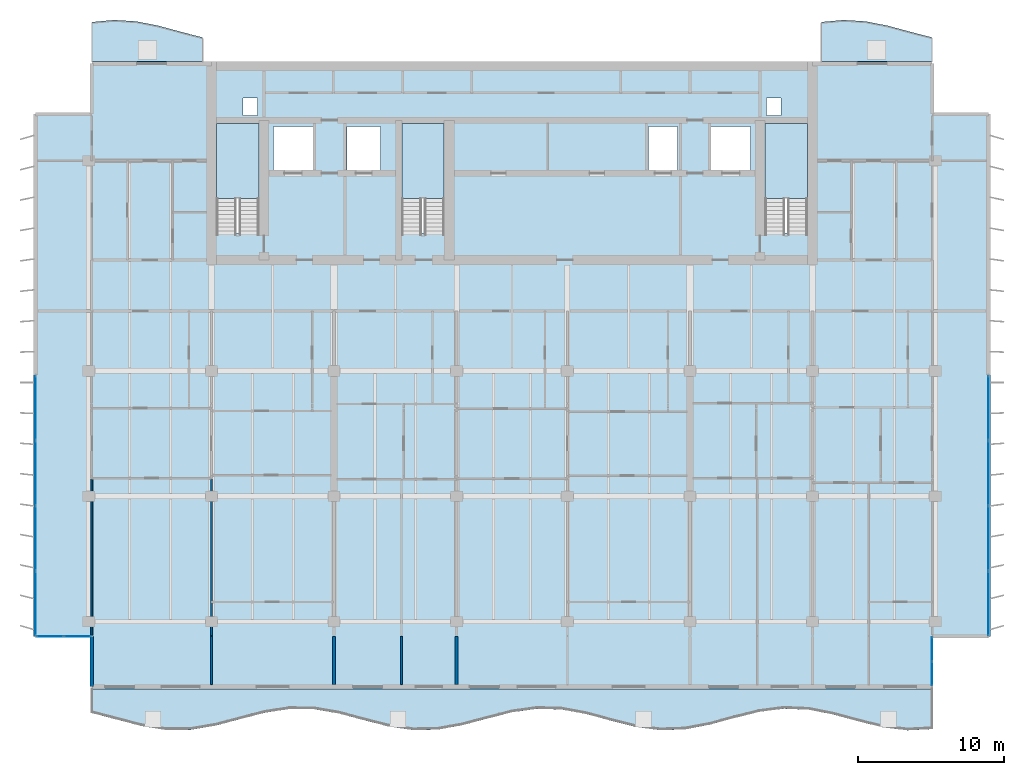
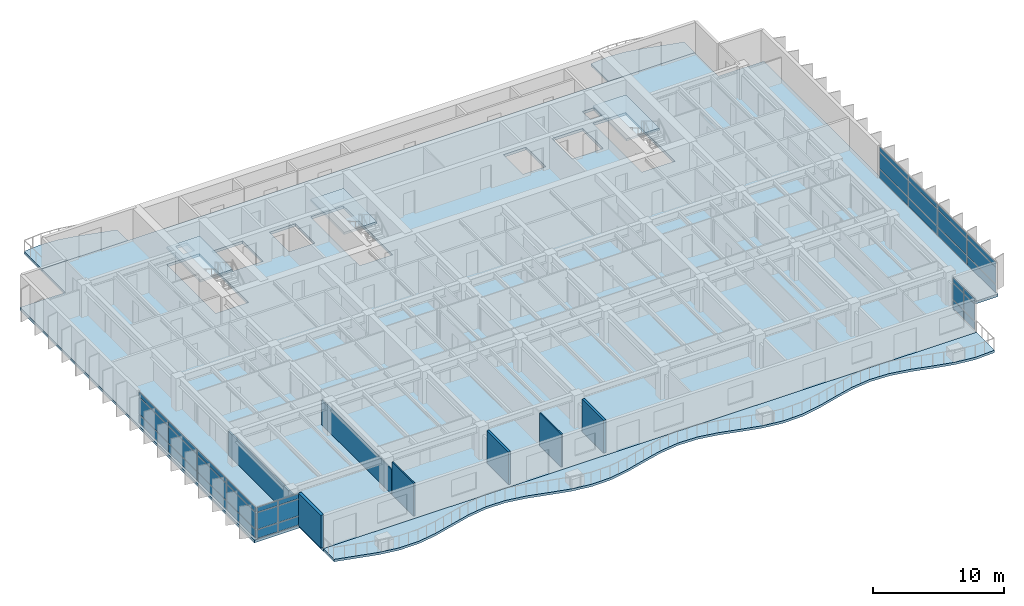
# One storey, part 7 of 19: 36 plates, 7 slabs, 7 walls, 7 elements without a shape of their own.
"""IFC4 building model written with IfcOpenShell, lengths in metres."""

from ifc_helpers import new_model, si_unit, direction, frame, frame_2d, origin, origin_2d, place, context, subcontext, project, spatial, polyline, rectangle, outline, extrude, material, layer, layer_set, type_object, element, aggregate, save


model = new_model("IFC4")

# Units and contexts
model_context = context("Model", 3, precision=1e-05, world=origin(), true_north=direction((0.0, 1.0)))
body_context = subcontext(model_context, "Body", "Model", "MODEL_VIEW")
ifc_project = project(units=[si_unit("LENGTHUNIT", "METRE"), si_unit("AREAUNIT", "SQUARE_METRE"), si_unit("VOLUMEUNIT", "CUBIC_METRE"), si_unit("PLANEANGLEUNIT", "RADIAN"), si_unit("MASSUNIT", "GRAM", prefix="KILO")], contexts=[model_context])

# Site, building, storey
site_placement = place(None, origin())
site = spatial("IfcSite", under=ifc_project, at=site_placement, CompositionType="ELEMENT")
building_placement = place(site_placement, origin())
building = spatial("IfcBuilding", under=site, at=building_placement, Name="Caelmar Bay Residences", CompositionType="ELEMENT")
storey_placement = place(building_placement, frame((0.0, 0.0, 188.39990234375)))
storey = spatial("IfcBuildingStorey", under=building, at=storey_placement, Name="L52", CompositionType="ELEMENT", Elevation=188.39990234375)

# Curtain wall, plates
ifc_material_1 = material(Name="Anodised bronze aluminium 6063-T6 and laminated glass", Category="aluminium")
ifc_layer_1 = layer(ifc_material_1, 0.179931640625)
ifc_layer_set_1 = layer_set([ifc_layer_1], Name="Anodised bronze aluminium 6063-T6 and laminated glass")
curtain_wall_type_1 = type_object("IfcCurtainWallType", Name="CW6-NTC", PredefinedType="NOTDEFINED", material=ifc_layer_set_1)
curtain_wall_1_placement = place(storey_placement, origin())
curtain_wall_1 = element("IfcCurtainWall", 1, at=curtain_wall_1_placement, inside=storey, type_object=curtain_wall_type_1, Name="CW6 curtain wall L52", PredefinedType="NOTDEFINED")
ifc_material_2 = material(Name="Bronze-tinted laminated low-E hurricane glass 28 mm", Category="glass")
ifc_layer_2 = layer(ifc_material_2, 0.028076171875)
ifc_layer_set_2 = layer_set([ifc_layer_2], Name="Bronze-tinted laminated low-E hurricane glass 28 mm")
plate_type = type_object("IfcPlateType", Name="CWP-GLZ28", PredefinedType="CURTAIN_PANEL", material=ifc_layer_set_2)
plate_1_placement = place(storey_placement, frame((7.232421875, 11.199951171875, 0.080078125), z_axis=(0.0, 0.0, 1.0), x_axis=(1.0, 0.0, 0.0)))
plate_1 = element("IfcPlate", 2, at=plate_1_placement, type_object=plate_type, Name="CW6 panel 1.1", PredefinedType="CURTAIN_PANEL", context=body_context, shape_type="SweptSolid", body=[
    extrude(rectangle(XDim=1.804931640625, YDim=0.028076171875, at=origin_2d()), origin(), (0.0, 0.0, 1.0), 0.780029296875),
])
plate_2_placement = place(storey_placement, frame((7.232421875, 11.199951171875, 0.940185546875), z_axis=(0.0, 0.0, 1.0), x_axis=(1.0, 0.0, 0.0)))
plate_2 = element("IfcPlate", 3, at=plate_2_placement, type_object=plate_type, Name="CW6 panel 1.2", PredefinedType="CURTAIN_PANEL", context=body_context, shape_type="SweptSolid", body=[
    extrude(rectangle(XDim=1.804931640625, YDim=0.028076171875, at=origin_2d()), origin(), (0.0, 0.0, 1.0), 1.52001953125),
])
plate_3_placement = place(storey_placement, frame((7.232421875, 11.199951171875, 2.5400390625), z_axis=(0.0, 0.0, 1.0), x_axis=(1.0, 0.0, 0.0)))
plate_3 = element("IfcPlate", 4, at=plate_3_placement, type_object=plate_type, Name="CW6 panel 1.3", PredefinedType="CURTAIN_PANEL", context=body_context, shape_type="SweptSolid", body=[
    extrude(rectangle(XDim=1.804931640625, YDim=0.028076171875, at=origin_2d()), origin(), (0.0, 0.0, 1.0), 0.429931640625),
])
plate_4_placement = place(storey_placement, frame((9.117431640625, 11.199951171875, 0.080078125), z_axis=(0.0, 0.0, 1.0), x_axis=(1.0, 0.0, 0.0)))
plate_4 = element("IfcPlate", 5, at=plate_4_placement, type_object=plate_type, Name="CW6 panel 2.1", PredefinedType="CURTAIN_PANEL", context=body_context, shape_type="SweptSolid", body=[
    extrude(rectangle(XDim=1.804931640625, YDim=0.028076171875, at=origin_2d()), origin(), (0.0, 0.0, 1.0), 0.780029296875),
])
plate_5_placement = place(storey_placement, frame((9.117431640625, 11.199951171875, 0.940185546875), z_axis=(0.0, 0.0, 1.0), x_axis=(1.0, 0.0, 0.0)))
plate_5 = element("IfcPlate", 6, at=plate_5_placement, type_object=plate_type, Name="CW6 panel 2.2", PredefinedType="CURTAIN_PANEL", context=body_context, shape_type="SweptSolid", body=[
    extrude(rectangle(XDim=1.804931640625, YDim=0.028076171875, at=origin_2d()), origin(), (0.0, 0.0, 1.0), 1.52001953125),
])
plate_6_placement = place(storey_placement, frame((9.117431640625, 11.199951171875, 2.5400390625), z_axis=(0.0, 0.0, 1.0), x_axis=(1.0, 0.0, 0.0)))
plate_6 = element("IfcPlate", 7, at=plate_6_placement, type_object=plate_type, Name="CW6 panel 2.3", PredefinedType="CURTAIN_PANEL", context=body_context, shape_type="SweptSolid", body=[
    extrude(rectangle(XDim=1.804931640625, YDim=0.028076171875, at=origin_2d()), origin(), (0.0, 0.0, 1.0), 0.429931640625),
])
aggregate(curtain_wall_1, [plate_1, plate_2, plate_3, plate_4, plate_5, plate_6])

curtain_wall_2_placement = place(storey_placement, origin())
curtain_wall_2 = element("IfcCurtainWall", 8, at=curtain_wall_2_placement, inside=storey, type_object=curtain_wall_type_1, Name="CW6 curtain wall L52", PredefinedType="NOTDEFINED")
plate_7_placement = place(storey_placement, frame((67.699951171875, 8.632568359375, 0.080078125), z_axis=(0.0, 0.0, 1.0), x_axis=(0.0, 1.0, 0.0)))
plate_7 = element("IfcPlate", 9, at=plate_7_placement, type_object=plate_type, Name="CW6 panel 1.1", PredefinedType="CURTAIN_PANEL", context=body_context, shape_type="SweptSolid", body=[
    extrude(rectangle(XDim=1.60498046875, YDim=0.028076171875, at=origin_2d()), origin(), (0.0, 0.0, 1.0), 0.780029296875),
])
plate_8_placement = place(storey_placement, frame((67.699951171875, 8.632568359375, 0.940185546875), z_axis=(0.0, 0.0, 1.0), x_axis=(0.0, 1.0, 0.0)))
plate_8 = element("IfcPlate", 10, at=plate_8_placement, type_object=plate_type, Name="CW6 panel 1.2", PredefinedType="CURTAIN_PANEL", context=body_context, shape_type="SweptSolid", body=[
    extrude(rectangle(XDim=1.60498046875, YDim=0.028076171875, at=origin_2d()), origin(), (0.0, 0.0, 1.0), 1.52001953125),
])
plate_9_placement = place(storey_placement, frame((67.699951171875, 8.632568359375, 2.5400390625), z_axis=(0.0, 0.0, 1.0), x_axis=(0.0, 1.0, 0.0)))
plate_9 = element("IfcPlate", 11, at=plate_9_placement, type_object=plate_type, Name="CW6 panel 1.3", PredefinedType="CURTAIN_PANEL", context=body_context, shape_type="SweptSolid", body=[
    extrude(rectangle(XDim=1.60498046875, YDim=0.028076171875, at=origin_2d()), origin(), (0.0, 0.0, 1.0), 0.429931640625),
])
plate_10_placement = place(storey_placement, frame((67.699951171875, 10.3173828125, 0.080078125), z_axis=(0.0, 0.0, 1.0), x_axis=(0.0, 1.0, 0.0)))
plate_10 = element("IfcPlate", 12, at=plate_10_placement, type_object=plate_type, Name="CW6 panel 2.1", PredefinedType="CURTAIN_PANEL", context=body_context, shape_type="SweptSolid", body=[
    extrude(rectangle(XDim=1.60498046875, YDim=0.028076171875, at=origin_2d()), origin(), (0.0, 0.0, 1.0), 0.780029296875),
])
plate_11_placement = place(storey_placement, frame((67.699951171875, 10.3173828125, 0.940185546875), z_axis=(0.0, 0.0, 1.0), x_axis=(0.0, 1.0, 0.0)))
plate_11 = element("IfcPlate", 13, at=plate_11_placement, type_object=plate_type, Name="CW6 panel 2.2", PredefinedType="CURTAIN_PANEL", context=body_context, shape_type="SweptSolid", body=[
    extrude(rectangle(XDim=1.60498046875, YDim=0.028076171875, at=origin_2d()), origin(), (0.0, 0.0, 1.0), 1.52001953125),
])
plate_12_placement = place(storey_placement, frame((67.699951171875, 10.3173828125, 2.5400390625), z_axis=(0.0, 0.0, 1.0), x_axis=(0.0, 1.0, 0.0)))
plate_12 = element("IfcPlate", 14, at=plate_12_placement, type_object=plate_type, Name="CW6 panel 2.3", PredefinedType="CURTAIN_PANEL", context=body_context, shape_type="SweptSolid", body=[
    extrude(rectangle(XDim=1.60498046875, YDim=0.028076171875, at=origin_2d()), origin(), (0.0, 0.0, 1.0), 0.429931640625),
])
aggregate(curtain_wall_2, [plate_7, plate_8, plate_9, plate_10, plate_11, plate_12])

ifc_layer_3 = layer(ifc_material_1, 0.179931640625)
ifc_layer_set_3 = layer_set([ifc_layer_3], Name="Anodised bronze aluminium 6063-T6 and laminated glass")
curtain_wall_type_2 = type_object("IfcCurtainWallType", Name="CW4-Z3", PredefinedType="NOTDEFINED", material=ifc_layer_set_3)
curtain_wall_3_placement = place(storey_placement, origin())
curtain_wall_3 = element("IfcCurtainWall", 15, at=curtain_wall_3_placement, inside=storey, type_object=curtain_wall_type_2, Name="CW4 curtain wall L52", PredefinedType="NOTDEFINED")
plate_13_placement = place(storey_placement, frame((6.25, 13.45751953125, 0.080078125), z_axis=(0.0, 0.0, 1.0), x_axis=(0.0, 1.0, 0.0)))
plate_13 = element("IfcPlate", 16, at=plate_13_placement, type_object=plate_type, Name="CW4 panel 1.1", PredefinedType="CURTAIN_PANEL", context=body_context, shape_type="SweptSolid", body=[
    extrude(rectangle(XDim=4.35498046875, YDim=0.028076171875, at=origin_2d()), origin(), (0.0, 0.0, 1.0), 0.780029296875),
])
plate_14_placement = place(storey_placement, frame((6.25, 13.45751953125, 0.940185546875), z_axis=(0.0, 0.0, 1.0), x_axis=(0.0, 1.0, 0.0)))
plate_14 = element("IfcPlate", 17, at=plate_14_placement, type_object=plate_type, Name="CW4 panel 1.2", PredefinedType="CURTAIN_PANEL", context=body_context, shape_type="SweptSolid", body=[
    extrude(rectangle(XDim=4.35498046875, YDim=0.028076171875, at=origin_2d()), origin(), (0.0, 0.0, 1.0), 1.52001953125),
])
plate_15_placement = place(storey_placement, frame((6.25, 13.45751953125, 2.5400390625), z_axis=(0.0, 0.0, 1.0), x_axis=(0.0, 1.0, 0.0)))
plate_15 = element("IfcPlate", 18, at=plate_15_placement, type_object=plate_type, Name="CW4 panel 1.3", PredefinedType="CURTAIN_PANEL", context=body_context, shape_type="SweptSolid", body=[
    extrude(rectangle(XDim=4.35498046875, YDim=0.028076171875, at=origin_2d()), origin(), (0.0, 0.0, 1.0), 0.429931640625),
])
plate_16_placement = place(storey_placement, frame((6.25, 17.91259765625, 0.080078125), z_axis=(0.0, 0.0, 1.0), x_axis=(0.0, 1.0, 0.0)))
plate_16 = element("IfcPlate", 19, at=plate_16_placement, type_object=plate_type, Name="CW4 panel 2.1", PredefinedType="CURTAIN_PANEL", context=body_context, shape_type="SweptSolid", body=[
    extrude(rectangle(XDim=4.39501953125, YDim=0.028076171875, at=origin_2d()), origin(), (0.0, 0.0, 1.0), 0.780029296875),
])
plate_17_placement = place(storey_placement, frame((6.25, 17.91259765625, 0.940185546875), z_axis=(0.0, 0.0, 1.0), x_axis=(0.0, 1.0, 0.0)))
plate_17 = element("IfcPlate", 20, at=plate_17_placement, type_object=plate_type, Name="CW4 panel 2.2", PredefinedType="CURTAIN_PANEL", context=body_context, shape_type="SweptSolid", body=[
    extrude(rectangle(XDim=4.39501953125, YDim=0.028076171875, at=origin_2d()), origin(), (0.0, 0.0, 1.0), 1.52001953125),
])
plate_18_placement = place(storey_placement, frame((6.25, 17.91259765625, 2.5400390625), z_axis=(0.0, 0.0, 1.0), x_axis=(0.0, 1.0, 0.0)))
plate_18 = element("IfcPlate", 21, at=plate_18_placement, type_object=plate_type, Name="CW4 panel 2.3", PredefinedType="CURTAIN_PANEL", context=body_context, shape_type="SweptSolid", body=[
    extrude(rectangle(XDim=4.39501953125, YDim=0.028076171875, at=origin_2d()), origin(), (0.0, 0.0, 1.0), 0.429931640625),
])
plate_19_placement = place(storey_placement, frame((6.25, 22.387451171875, 0.080078125), z_axis=(0.0, 0.0, 1.0), x_axis=(0.0, 1.0, 0.0)))
plate_19 = element("IfcPlate", 22, at=plate_19_placement, type_object=plate_type, Name="CW4 panel 3.1", PredefinedType="CURTAIN_PANEL", context=body_context, shape_type="SweptSolid", body=[
    extrude(rectangle(XDim=4.39501953125, YDim=0.028076171875, at=origin_2d()), origin(), (0.0, 0.0, 1.0), 0.780029296875),
])
plate_20_placement = place(storey_placement, frame((6.25, 22.387451171875, 0.940185546875), z_axis=(0.0, 0.0, 1.0), x_axis=(0.0, 1.0, 0.0)))
plate_20 = element("IfcPlate", 23, at=plate_20_placement, type_object=plate_type, Name="CW4 panel 3.2", PredefinedType="CURTAIN_PANEL", context=body_context, shape_type="SweptSolid", body=[
    extrude(rectangle(XDim=4.39501953125, YDim=0.028076171875, at=origin_2d()), origin(), (0.0, 0.0, 1.0), 1.52001953125),
])
plate_21_placement = place(storey_placement, frame((6.25, 22.387451171875, 2.5400390625), z_axis=(0.0, 0.0, 1.0), x_axis=(0.0, 1.0, 0.0)))
plate_21 = element("IfcPlate", 24, at=plate_21_placement, type_object=plate_type, Name="CW4 panel 3.3", PredefinedType="CURTAIN_PANEL", context=body_context, shape_type="SweptSolid", body=[
    extrude(rectangle(XDim=4.39501953125, YDim=0.028076171875, at=origin_2d()), origin(), (0.0, 0.0, 1.0), 0.429931640625),
])
plate_22_placement = place(storey_placement, frame((6.25, 26.842529296875, 0.080078125), z_axis=(0.0, 0.0, 1.0), x_axis=(0.0, 1.0, 0.0)))
plate_22 = element("IfcPlate", 25, at=plate_22_placement, type_object=plate_type, Name="CW4 panel 4.1", PredefinedType="CURTAIN_PANEL", context=body_context, shape_type="SweptSolid", body=[
    extrude(rectangle(XDim=4.35498046875, YDim=0.028076171875, at=origin_2d()), origin(), (0.0, 0.0, 1.0), 0.780029296875),
])
plate_23_placement = place(storey_placement, frame((6.25, 26.842529296875, 0.940185546875), z_axis=(0.0, 0.0, 1.0), x_axis=(0.0, 1.0, 0.0)))
plate_23 = element("IfcPlate", 26, at=plate_23_placement, type_object=plate_type, Name="CW4 panel 4.2", PredefinedType="CURTAIN_PANEL", context=body_context, shape_type="SweptSolid", body=[
    extrude(rectangle(XDim=4.35498046875, YDim=0.028076171875, at=origin_2d()), origin(), (0.0, 0.0, 1.0), 1.52001953125),
])
plate_24_placement = place(storey_placement, frame((6.25, 26.842529296875, 2.5400390625), z_axis=(0.0, 0.0, 1.0), x_axis=(0.0, 1.0, 0.0)))
plate_24 = element("IfcPlate", 27, at=plate_24_placement, type_object=plate_type, Name="CW4 panel 4.3", PredefinedType="CURTAIN_PANEL", context=body_context, shape_type="SweptSolid", body=[
    extrude(rectangle(XDim=4.35498046875, YDim=0.028076171875, at=origin_2d()), origin(), (0.0, 0.0, 1.0), 0.429931640625),
])
aggregate(curtain_wall_3, [plate_13, plate_14, plate_15, plate_16, plate_17, plate_18, plate_19, plate_20, plate_21, plate_22, plate_23, plate_24])

curtain_wall_4_placement = place(storey_placement, origin())
curtain_wall_4 = element("IfcCurtainWall", 28, at=curtain_wall_4_placement, inside=storey, type_object=curtain_wall_type_2, Name="CW4 curtain wall L52", PredefinedType="NOTDEFINED")
plate_25_placement = place(storey_placement, frame((71.550048828125, 26.842529296875, 0.080078125), z_axis=(0.0, 0.0, 1.0), x_axis=(0.0, -1.0, 0.0)))
plate_25 = element("IfcPlate", 29, at=plate_25_placement, type_object=plate_type, Name="CW4 panel 1.1", PredefinedType="CURTAIN_PANEL", context=body_context, shape_type="SweptSolid", body=[
    extrude(rectangle(XDim=4.35498046875, YDim=0.028076171875, at=origin_2d()), origin(), (0.0, 0.0, 1.0), 0.780029296875),
])
plate_26_placement = place(storey_placement, frame((71.550048828125, 26.842529296875, 0.940185546875), z_axis=(0.0, 0.0, 1.0), x_axis=(0.0, -1.0, 0.0)))
plate_26 = element("IfcPlate", 30, at=plate_26_placement, type_object=plate_type, Name="CW4 panel 1.2", PredefinedType="CURTAIN_PANEL", context=body_context, shape_type="SweptSolid", body=[
    extrude(rectangle(XDim=4.35498046875, YDim=0.028076171875, at=origin_2d()), origin(), (0.0, 0.0, 1.0), 1.52001953125),
])
plate_27_placement = place(storey_placement, frame((71.550048828125, 26.842529296875, 2.5400390625), z_axis=(0.0, 0.0, 1.0), x_axis=(0.0, -1.0, 0.0)))
plate_27 = element("IfcPlate", 31, at=plate_27_placement, type_object=plate_type, Name="CW4 panel 1.3", PredefinedType="CURTAIN_PANEL", context=body_context, shape_type="SweptSolid", body=[
    extrude(rectangle(XDim=4.35498046875, YDim=0.028076171875, at=origin_2d()), origin(), (0.0, 0.0, 1.0), 0.429931640625),
])
plate_28_placement = place(storey_placement, frame((71.550048828125, 22.387451171875, 0.080078125), z_axis=(0.0, 0.0, 1.0), x_axis=(0.0, -1.0, 0.0)))
plate_28 = element("IfcPlate", 32, at=plate_28_placement, type_object=plate_type, Name="CW4 panel 2.1", PredefinedType="CURTAIN_PANEL", context=body_context, shape_type="SweptSolid", body=[
    extrude(rectangle(XDim=4.39501953125, YDim=0.028076171875, at=origin_2d()), origin(), (0.0, 0.0, 1.0), 0.780029296875),
])
plate_29_placement = place(storey_placement, frame((71.550048828125, 22.387451171875, 0.940185546875), z_axis=(0.0, 0.0, 1.0), x_axis=(0.0, -1.0, 0.0)))
plate_29 = element("IfcPlate", 33, at=plate_29_placement, type_object=plate_type, Name="CW4 panel 2.2", PredefinedType="CURTAIN_PANEL", context=body_context, shape_type="SweptSolid", body=[
    extrude(rectangle(XDim=4.39501953125, YDim=0.028076171875, at=origin_2d()), origin(), (0.0, 0.0, 1.0), 1.52001953125),
])
plate_30_placement = place(storey_placement, frame((71.550048828125, 22.387451171875, 2.5400390625), z_axis=(0.0, 0.0, 1.0), x_axis=(0.0, -1.0, 0.0)))
plate_30 = element("IfcPlate", 34, at=plate_30_placement, type_object=plate_type, Name="CW4 panel 2.3", PredefinedType="CURTAIN_PANEL", context=body_context, shape_type="SweptSolid", body=[
    extrude(rectangle(XDim=4.39501953125, YDim=0.028076171875, at=origin_2d()), origin(), (0.0, 0.0, 1.0), 0.429931640625),
])
plate_31_placement = place(storey_placement, frame((71.550048828125, 17.91259765625, 0.080078125), z_axis=(0.0, 0.0, 1.0), x_axis=(0.0, -1.0, 0.0)))
plate_31 = element("IfcPlate", 35, at=plate_31_placement, type_object=plate_type, Name="CW4 panel 3.1", PredefinedType="CURTAIN_PANEL", context=body_context, shape_type="SweptSolid", body=[
    extrude(rectangle(XDim=4.39501953125, YDim=0.028076171875, at=origin_2d()), origin(), (0.0, 0.0, 1.0), 0.780029296875),
])
plate_32_placement = place(storey_placement, frame((71.550048828125, 17.91259765625, 0.940185546875), z_axis=(0.0, 0.0, 1.0), x_axis=(0.0, -1.0, 0.0)))
plate_32 = element("IfcPlate", 36, at=plate_32_placement, type_object=plate_type, Name="CW4 panel 3.2", PredefinedType="CURTAIN_PANEL", context=body_context, shape_type="SweptSolid", body=[
    extrude(rectangle(XDim=4.39501953125, YDim=0.028076171875, at=origin_2d()), origin(), (0.0, 0.0, 1.0), 1.52001953125),
])
plate_33_placement = place(storey_placement, frame((71.550048828125, 17.91259765625, 2.5400390625), z_axis=(0.0, 0.0, 1.0), x_axis=(0.0, -1.0, 0.0)))
plate_33 = element("IfcPlate", 37, at=plate_33_placement, type_object=plate_type, Name="CW4 panel 3.3", PredefinedType="CURTAIN_PANEL", context=body_context, shape_type="SweptSolid", body=[
    extrude(rectangle(XDim=4.39501953125, YDim=0.028076171875, at=origin_2d()), origin(), (0.0, 0.0, 1.0), 0.429931640625),
])
plate_34_placement = place(storey_placement, frame((71.550048828125, 13.45751953125, 0.080078125), z_axis=(0.0, 0.0, 1.0), x_axis=(0.0, -1.0, 0.0)))
plate_34 = element("IfcPlate", 38, at=plate_34_placement, type_object=plate_type, Name="CW4 panel 4.1", PredefinedType="CURTAIN_PANEL", context=body_context, shape_type="SweptSolid", body=[
    extrude(rectangle(XDim=4.35498046875, YDim=0.028076171875, at=origin_2d()), origin(), (0.0, 0.0, 1.0), 0.780029296875),
])
plate_35_placement = place(storey_placement, frame((71.550048828125, 13.45751953125, 0.940185546875), z_axis=(0.0, 0.0, 1.0), x_axis=(0.0, -1.0, 0.0)))
plate_35 = element("IfcPlate", 39, at=plate_35_placement, type_object=plate_type, Name="CW4 panel 4.2", PredefinedType="CURTAIN_PANEL", context=body_context, shape_type="SweptSolid", body=[
    extrude(rectangle(XDim=4.35498046875, YDim=0.028076171875, at=origin_2d()), origin(), (0.0, 0.0, 1.0), 1.52001953125),
])
plate_36_placement = place(storey_placement, frame((71.550048828125, 13.45751953125, 2.5400390625), z_axis=(0.0, 0.0, 1.0), x_axis=(0.0, -1.0, 0.0)))
plate_36 = element("IfcPlate", 40, at=plate_36_placement, type_object=plate_type, Name="CW4 panel 4.3", PredefinedType="CURTAIN_PANEL", context=body_context, shape_type="SweptSolid", body=[
    extrude(rectangle(XDim=4.35498046875, YDim=0.028076171875, at=origin_2d()), origin(), (0.0, 0.0, 1.0), 0.429931640625),
])
aggregate(curtain_wall_4, [plate_25, plate_26, plate_27, plate_28, plate_29, plate_30, plate_31, plate_32, plate_33, plate_34, plate_35, plate_36])

# Slabs
ifc_material_3 = material(Name="Concrete f'c 40 MPa (6,000 psi)", Category="concrete")
ifc_layer_4 = layer(ifc_material_3, 0.219970703125)
ifc_layer_set_4 = layer_set([ifc_layer_4], Name="Concrete f'c 40 MPa (6,000 psi)")
slab_type_1 = type_object("IfcSlabType", Name="SLB-BAL-220", PredefinedType="FLOOR", material=ifc_layer_set_4)
slab_1_placement = place(storey_placement, frame((0.0, 0.0, -0.219970703125)))
element("IfcSlab", 41, at=slab_1_placement, inside=storey, type_object=slab_type_1, Name="L52 Sinusoidal Tree-Balcony Slab south", PredefinedType="FLOOR", context=body_context, shape_type="SweptSolid", body=[
    extrude(outline(polyline([(10.10009765625, 5.94091796875), (11.794189453125, 5.49609375), (13.48828125, 5.052734375), (15.182373046875, 4.783203125), (16.87646484375, 4.791748046875), (18.570556640625, 5.0751953125), (20.2646484375, 5.523681640625), (21.958740234375, 5.962890625), (23.65283203125, 6.222412109375), (25.34716796875, 6.201416015625), (27.041259765625, 5.908203125), (28.7353515625, 5.45654296875), (30.429443359375, 5.021484375), (32.12353515625, 4.7724609375), (33.817626953125, 4.805908203125), (35.51171875, 5.108642578125), (37.205810546875, 5.563232421875), (38.89990234375, 5.993408203125), (40.593994140625, 6.232177734375), (42.2880859375, 6.1865234375), (43.982421875, 5.87451171875), (45.676513671875, 5.4169921875), (47.37060546875, 4.99169921875), (49.064697265625, 4.763916015625), (50.7587890625, 4.82177734375), (52.452880859375, 5.142822265625), (54.147216796875, 5.6025390625), (55.84130859375, 6.022705078125), (57.535400390625, 6.23974609375), (59.2294921875, 6.169677734375), (60.923583984375, 5.839599609375), (62.61767578125, 5.377685546875), (64.311767578125, 4.96337890625), (66.005859375, 4.75732421875), (67.699951171875, 4.839599609375), (67.699951171875, 7.60009765625), (10.10009765625, 7.60009765625), (10.10009765625, 5.94091796875)])), origin(), (0.0, 0.0, 1.0), 0.219970703125),
])
slab_2_placement = place(storey_placement, frame((0.0, 0.0, -0.219970703125)))
element("IfcSlab", 42, at=slab_2_placement, inside=storey, type_object=slab_type_1, Name="L52 Sinusoidal Tree-Balcony Slab north_west", PredefinedType="FLOOR", context=body_context, shape_type="SweptSolid", body=[
    extrude(outline(polyline([(10.10009765625, 50.60009765625), (17.699951171875, 50.60009765625), (17.699951171875, 52.25), (16.179931640625, 52.64404296875), (14.659912109375, 53.055419921875), (13.139892578125, 53.35498046875), (11.6201171875, 53.44873046875), (10.10009765625, 53.306884765625), (10.10009765625, 50.60009765625)])), origin(), (0.0, 0.0, 1.0), 0.219970703125),
])
slab_3_placement = place(storey_placement, frame((0.0, 0.0, -0.219970703125)))
element("IfcSlab", 43, at=slab_3_placement, inside=storey, type_object=slab_type_1, Name="L52 Sinusoidal Tree-Balcony Slab north_east", PredefinedType="FLOOR", context=body_context, shape_type="SweptSolid", body=[
    extrude(outline(polyline([(60.10009765625, 50.60009765625), (67.699951171875, 50.60009765625), (67.699951171875, 52.25), (66.179931640625, 52.64404296875), (64.659912109375, 53.055419921875), (63.139892578125, 53.35498046875), (61.6201171875, 53.44873046875), (60.10009765625, 53.306884765625), (60.10009765625, 50.60009765625)])), origin(), (0.0, 0.0, 1.0), 0.219970703125),
])

# Stair, slab
stair_type = type_object("IfcStairType", Name="ST-TYP-165", PredefinedType="HALF_TURN_STAIR", material=ifc_material_3)
stair_1_placement = place(storey_placement, origin())
stair_1 = element("IfcStair", 44, at=stair_1_placement, inside=storey, type_object=stair_type, Name="L52 West Smokeproof Exit Stair ST1", PredefinedType="HALF_TURN_STAIR")
ifc_layer_5 = layer(ifc_material_3, 0.199951171875)
ifc_layer_set_5 = layer_set([ifc_layer_5], Name="Concrete f'c 40 MPa (6,000 psi)")
slab_type_2 = type_object("IfcSlabType", Name="SLB-LND-200", PredefinedType="LANDING", material=ifc_layer_set_5)
slab_4_placement = place(storey_placement, frame((0.0, 0.0, 1.4501953125)))
slab_4 = element("IfcSlab", 45, at=slab_4_placement, type_object=slab_type_2, Name="ST1 landing 1", PredefinedType="LANDING", context=body_context, shape_type="SweptSolid", body=[
    extrude(outline(polyline([(21.550048828125, 41.219970703125), (21.550048828125, 46.35009765625), (18.64990234375, 46.35009765625), (18.64990234375, 41.219970703125), (21.550048828125, 41.219970703125)])), origin(), (0.0, 0.0, 1.0), 0.199951171875),
])
aggregate(stair_1, [slab_4])

stair_2_placement = place(storey_placement, origin())
stair_2 = element("IfcStair", 46, at=stair_2_placement, inside=storey, type_object=stair_type, Name="L52 East Smokeproof Exit Stair ST2", PredefinedType="HALF_TURN_STAIR")
slab_5_placement = place(storey_placement, frame((0.0, 0.0, 1.4501953125)))
slab_5 = element("IfcSlab", 47, at=slab_5_placement, type_object=slab_type_2, Name="ST2 landing 1", PredefinedType="LANDING", context=body_context, shape_type="SweptSolid", body=[
    extrude(outline(polyline([(59.14990234375, 41.219970703125), (59.14990234375, 46.35009765625), (56.25, 46.35009765625), (56.25, 41.219970703125), (59.14990234375, 41.219970703125)])), origin(), (0.0, 0.0, 1.0), 0.199951171875),
])
aggregate(stair_2, [slab_5])

stair_3_placement = place(storey_placement, origin())
stair_3 = element("IfcStair", 48, at=stair_3_placement, inside=storey, type_object=stair_type, Name="L52 Central Smokeproof Exit Stair ST3", PredefinedType="HALF_TURN_STAIR")
slab_6_placement = place(storey_placement, frame((0.0, 0.0, 1.4501953125)))
slab_6 = element("IfcSlab", 49, at=slab_6_placement, type_object=slab_type_2, Name="ST3 landing 1", PredefinedType="LANDING", context=body_context, shape_type="SweptSolid", body=[
    extrude(outline(polyline([(34.25, 41.219970703125), (34.25, 46.35009765625), (31.35009765625, 46.35009765625), (31.35009765625, 41.219970703125), (34.25, 41.219970703125)])), origin(), (0.0, 0.0, 1.0), 0.199951171875),
])
aggregate(stair_3, [slab_6])

# Slab
ifc_layer_6 = layer(ifc_material_3, 0.25)
ifc_layer_set_6 = layer_set([ifc_layer_6], Name="Concrete f'c 40 MPa (6,000 psi)")
slab_type_3 = type_object("IfcSlabType", Name="SLB-RES-250", PredefinedType="FLOOR", material=ifc_layer_set_6)
slab_7_placement = place(storey_placement, frame((0.0, 0.0, -0.25)))
element("IfcSlab", 50, at=slab_7_placement, inside=storey, type_object=slab_type_3, Name="L52 Structural Floor Slab", PredefinedType="FLOOR", context=body_context, shape_type="SweptSolid", body=[
    extrude(outline(polyline([(10.10009765625, 7.60009765625), (67.699951171875, 7.60009765625), (67.699951171875, 11.199951171875), (71.699951171875, 11.199951171875), (71.699951171875, 47.0), (67.699951171875, 47.0), (67.699951171875, 50.60009765625), (10.10009765625, 50.60009765625), (10.10009765625, 47.0), (6.10009765625, 47.0), (6.10009765625, 11.199951171875), (10.10009765625, 11.199951171875), (10.10009765625, 7.60009765625)]), holes=[polyline([(18.64990234375, 38.85009765625), (21.550048828125, 38.85009765625), (21.550048828125, 46.35009765625), (18.64990234375, 46.35009765625), (18.64990234375, 38.85009765625)]), polyline([(56.25, 38.85009765625), (59.14990234375, 38.85009765625), (59.14990234375, 46.35009765625), (56.25, 46.35009765625), (56.25, 38.85009765625)]), polyline([(31.35009765625, 38.85009765625), (34.25, 38.85009765625), (34.25, 46.35009765625), (31.35009765625, 46.35009765625), (31.35009765625, 38.85009765625)]), polyline([(22.550048828125, 43.050048828125), (25.25, 43.050048828125), (25.25, 46.14990234375), (22.550048828125, 46.14990234375), (22.550048828125, 43.050048828125)]), polyline([(52.550048828125, 43.050048828125), (55.25, 43.050048828125), (55.25, 46.14990234375), (52.550048828125, 46.14990234375), (52.550048828125, 43.050048828125)]), polyline([(48.25, 43.14990234375), (50.25, 43.14990234375), (50.25, 46.14990234375), (48.25, 46.14990234375), (48.25, 43.14990234375)]), polyline([(27.60009765625, 43.14990234375), (29.89990234375, 43.14990234375), (29.89990234375, 46.14990234375), (27.60009765625, 46.14990234375), (27.60009765625, 43.14990234375)]), polyline([(20.449951171875, 46.89990234375), (21.449951171875, 46.89990234375), (21.449951171875, 48.10009765625), (20.449951171875, 48.10009765625), (20.449951171875, 46.89990234375)]), polyline([(56.35009765625, 46.89990234375), (57.35009765625, 46.89990234375), (57.35009765625, 48.10009765625), (56.35009765625, 48.10009765625), (56.35009765625, 46.89990234375)])]), origin(), (0.0, 0.0, 1.0), 0.25),
])

# Walls
ifc_material_4 = material(Name="Precast concrete f'c 40 MPa (6,000 psi)", Category="concrete")
ifc_layer_7 = layer(ifc_material_4, 0.25)
ifc_layer_set_7 = layer_set([ifc_layer_7], Name="Precast concrete f'c 40 MPa (6,000 psi)")
wall_type_1 = type_object("IfcWallType", Name="W-EXT-250", PredefinedType="ELEMENTEDWALL", material=ifc_layer_set_7)
wall_1_placement = place(storey_placement, frame((10.10009765625, 11.199951171875, 0.0), z_axis=(0.0, 0.0, 1.0), x_axis=(0.0, -1.0, 0.0)))
element("IfcWall", 51, at=wall_1_placement, inside=storey, type_object=wall_type_1, Name="L52 SW Notch Return Wall", PredefinedType="ELEMENTEDWALL", context=body_context, shape_type="SweptSolid", body=[
    extrude(rectangle(XDim=3.449951171875, YDim=0.25, at=frame_2d((1.72509765625, 0.0))), origin(), (0.0, 0.0, 1.0), 3.050048828125),
])
ifc_material_5 = material(Name="Acoustic metal-stud gypsum partition 120 mm")
ifc_layer_8 = layer(ifc_material_5, 0.1201171875)
ifc_layer_set_8 = layer_set([ifc_layer_8], Name="Acoustic metal-stud gypsum partition 120 mm")
wall_type_2 = type_object("IfcWallType", Name="W-PRT-120", PredefinedType="PARTITIONING", material=ifc_layer_set_8)
wall_2_placement = place(storey_placement, frame((10.10009765625, 11.284912109375, 0.0), z_axis=(0.0, 0.0, 1.0), x_axis=(0.0, 1.0, 0.0)))
element("IfcWall", 52, at=wall_2_placement, inside=storey, type_object=wall_type_2, Name="L52 Partition Wall V001", PredefinedType="PARTITIONING", context=body_context, shape_type="SweptSolid", body=[
    extrude(rectangle(XDim=10.68505859375, YDim=0.1201171875, at=frame_2d((5.342529296875, 0.0))), origin(), (0.0, 0.0, 1.0), 2.26318359375),
])
wall_3_placement = place(storey_placement, frame((18.300048828125, 7.89501953125, 0.0), z_axis=(0.0, 0.0, 1.0), x_axis=(0.0, 1.0, 0.0)))
element("IfcWall", 53, at=wall_3_placement, inside=storey, type_object=wall_type_2, Name="L52 Partition Wall V014", PredefinedType="PARTITIONING", context=body_context, shape_type="SweptSolid", body=[
    extrude(rectangle(XDim=3.304931640625, YDim=0.1201171875, at=frame_2d((1.65234375, 0.0))), origin(), (0.0, 0.0, 1.0), 3.050048828125),
])
wall_4_placement = place(storey_placement, frame((18.300048828125, 11.239990234375, 0.0), z_axis=(0.0, 0.0, 1.0), x_axis=(0.0, 1.0, 0.0)))
element("IfcWall", 54, at=wall_4_placement, inside=storey, type_object=wall_type_2, Name="L52 Partition Wall V015", PredefinedType="PARTITIONING", context=body_context, shape_type="SweptSolid", body=[
    extrude(rectangle(XDim=10.72998046875, YDim=0.1201171875, at=frame_2d((5.364990234375, 0.0))), origin(), (0.0, 0.0, 1.0), 2.26318359375),
])
wall_5_placement = place(storey_placement, frame((31.320068359375, 7.89501953125, 0.0), z_axis=(0.0, 0.0, 1.0), x_axis=(0.0, 1.0, 0.0)))
element("IfcWall", 55, at=wall_5_placement, inside=storey, type_object=wall_type_2, Name="L52 Partition Wall V032", PredefinedType="PARTITIONING", context=body_context, shape_type="SweptSolid", body=[
    extrude(rectangle(XDim=3.304931640625, YDim=0.1201171875, at=frame_2d((1.65234375, 0.0))), origin(), (0.0, 0.0, 1.0), 3.050048828125),
])
ifc_material_6 = material(Name="Acoustic twin-stud fire-rated inter-tenancy partition 200 mm")
ifc_layer_9 = layer(ifc_material_6, 0.199951171875)
ifc_layer_set_9 = layer_set([ifc_layer_9], Name="Acoustic twin-stud fire-rated inter-tenancy partition 200 mm")
wall_type_3 = type_object("IfcWallType", Name="W-PTY-200", PredefinedType="PARTITIONING", material=ifc_layer_set_9)
for number, where, z_axis, x_axis, name in (
    (56, (26.699951171875, 7.89501953125, 0.0), (0.0, 0.0, 1.0), (0.0, 1.0, 0.0), "L52 Partition Wall V027"),
    (57, (35.10009765625, 7.89501953125, 0.0), (0.0, 0.0, 1.0), (0.0, 1.0, 0.0), "L52 Partition Wall V040"),
):
    element("IfcWall", number, at=place(storey_placement, frame(where, z_axis=z_axis, x_axis=x_axis)), inside=storey, type_object=wall_type_3, Name=name, PredefinedType="PARTITIONING", context=body_context, shape_type="SweptSolid", body=[
        extrude(rectangle(XDim=3.304931640625, YDim=0.199951171875, at=frame_2d((1.65234375, 0.0))), origin(), (0.0, 0.0, 1.0), 3.050048828125),
    ])

save(model, "model.ifc")
